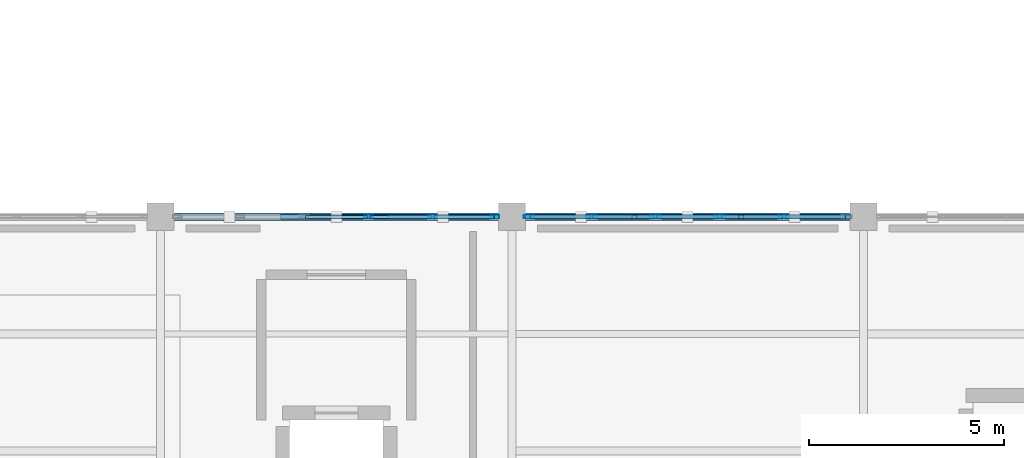
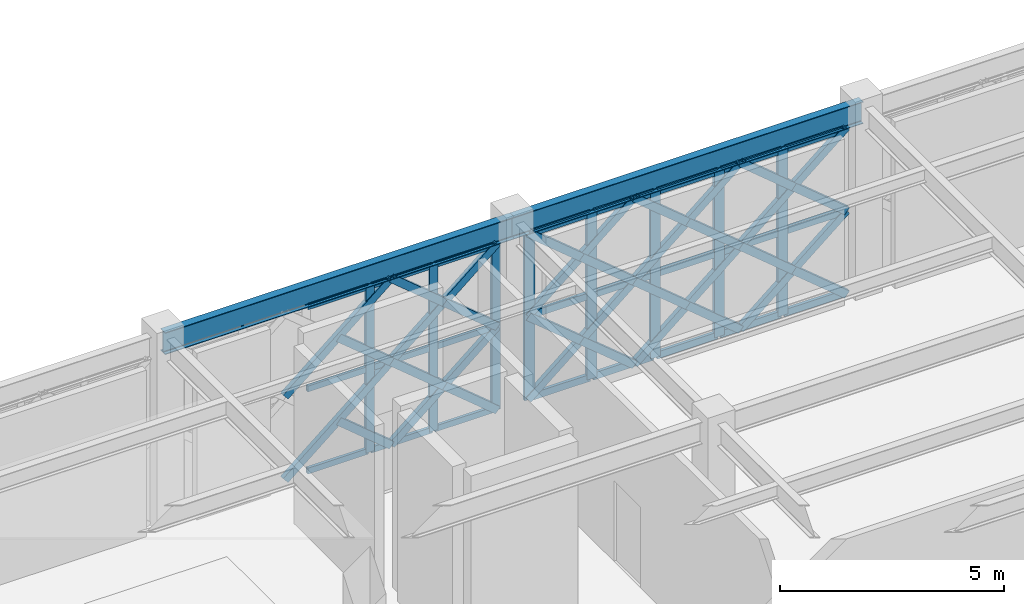
# One storey, part 16 of 72: 60 members, 2 beams, 2 elements without a shape of their own.
"""IFC4 building model written with IfcOpenShell, lengths in metres."""

from ifc_helpers import new_model, si_unit, direction, frame, origin, origin_2d, place, context, subcontext, project, spatial, hollow_rectangle, i_section, extrude, material, material_profile, profile_set, type_object, element, aggregate, save


model = new_model("IFC4")

# Units and contexts
model_context = context("Model", 3, precision=1e-05, world=origin(), true_north=direction((0.0, 1.0)))
body_context = subcontext(model_context, "Body", "Model", "MODEL_VIEW")
ifc_project = project(units=[si_unit("LENGTHUNIT", "METRE"), si_unit("AREAUNIT", "SQUARE_METRE"), si_unit("VOLUMEUNIT", "CUBIC_METRE"), si_unit("PLANEANGLEUNIT", "RADIAN"), si_unit("MASSUNIT", "GRAM", prefix="KILO")], contexts=[model_context])

# Site, building, storey
site_placement = place(None, origin())
site = spatial("IfcSite", under=ifc_project, at=site_placement, CompositionType="ELEMENT")
building_placement = place(site_placement, origin())
building = spatial("IfcBuilding", under=site, at=building_placement, Name="Haizhuo Lancet Aquarium", CompositionType="ELEMENT")
storey_placement = place(building_placement, frame((0.0, 0.0, 21.60009765625)))
storey = spatial("IfcBuildingStorey", under=building, at=storey_placement, Name="L04", CompositionType="ELEMENT", Elevation=21.60009765625)

# Beams
ifc_material_1 = material(Name="Steel S355", Category="steel")
ifc_material_profile_1 = material_profile(ifc_material_1, i_section(OverallWidth=0.199951171875, OverallDepth=0.60009765625, WebThickness=0.010986328125, FlangeThickness=0.01708984375, FilletRadius=0.02197265625, at=origin_2d()), Name="HN 600x200x11x17")
ifc_profile_set_1 = profile_set([ifc_material_profile_1], Name="Steel S355")
beam_type = type_object("IfcBeamType", Name="BM-ST-HN600", PredefinedType="BEAM", material=ifc_profile_set_1)
for number, where, z_axis, x_axis, name in (
    (1, (-63.0, -9.0, 4.849853515625), (1.0, 0.0, 0.0), (0.0, 1.0, 0.0), "L04 V6 primary girder BM-L04-V6-013"),
    (2, (-54.0, -9.0, 4.849853515625), (1.0, 0.0, 0.0), (0.0, 1.0, 0.0), "L04 V6 primary girder BM-L04-V6-018"),
):
    element("IfcBeam", number, at=place(storey_placement, frame(where, z_axis=z_axis, x_axis=x_axis)), inside=storey, type_object=beam_type, Name=name, PredefinedType="BEAM", context=body_context, shape_type="SweptSolid", body=[
        extrude(i_section(OverallWidth=0.199951171875, OverallDepth=0.60009765625, WebThickness=0.010986328125, FlangeThickness=0.01708984375, FilletRadius=0.02197265625, at=origin_2d()), origin(), (0.0, 0.0, 1.0), 9.0),
    ])

# Curtain wall, members
ifc_material_2 = material(Name="Aluminium 6063-T6", Category="aluminium")
curtain_wall_type = type_object("IfcCurtainWallType", Name="CWO-8210x4550", PredefinedType="NOTDEFINED", material=ifc_material_2)
curtain_wall_1_placement = place(storey_placement, origin())
curtain_wall_1 = element("IfcCurtainWall", 3, at=curtain_wall_1_placement, inside=storey, type_object=curtain_wall_type, Name="L04 curtain wall CW-V6-L04-248", PredefinedType="NOTDEFINED")
ifc_material_profile_2 = material_profile(ifc_material_2, hollow_rectangle(XDim=0.074951171875, YDim=0.219970703125, WallThickness=0.0048828125, at=origin_2d()), Name="ALU-M 75x220x5")
ifc_profile_set_2 = profile_set([ifc_material_profile_2], Name="Aluminium 6063-T6")
member_type_1 = type_object("IfcMemberType", Name="CW-MUL-2", PredefinedType="MULLION", material=ifc_profile_set_2)
member_1_placement = place(storey_placement, frame((-57.678955078125, -9.0, 0.0), z_axis=(0.0, 0.0, 1.0), x_axis=(0.0, 1.0, 0.0)))
member_1 = element("IfcMember", 4, at=member_1_placement, type_object=member_type_1, Name="CWO-82x45 mullion 4", PredefinedType="MULLION", context=body_context, shape_type="SweptSolid", body=[
    extrude(hollow_rectangle(XDim=0.074951171875, YDim=0.219970703125, WallThickness=0.0048828125, at=origin_2d()), origin(), (0.0, 0.0, 1.0), 4.5498046875),
])
member_2_placement = place(storey_placement, frame((-56.037109375, -9.0, 0.0), z_axis=(0.0, 0.0, 1.0), x_axis=(0.0, 1.0, 0.0)))
member_2 = element("IfcMember", 5, at=member_2_placement, type_object=member_type_1, Name="CWO-82x45 mullion 5", PredefinedType="MULLION", context=body_context, shape_type="SweptSolid", body=[
    extrude(hollow_rectangle(XDim=0.074951171875, YDim=0.219970703125, WallThickness=0.0048828125, at=origin_2d()), origin(), (0.0, 0.0, 1.0), 4.5498046875),
])
member_3_placement = place(storey_placement, frame((-54.43310546875, -9.0, 0.0), z_axis=(0.0, 0.0, 1.0), x_axis=(0.0, 1.0, 0.0)))
member_3 = element("IfcMember", 6, at=member_3_placement, type_object=member_type_1, Name="CWO-82x45 mullion 6", PredefinedType="MULLION", context=body_context, shape_type="SweptSolid", body=[
    extrude(hollow_rectangle(XDim=0.074951171875, YDim=0.219970703125, WallThickness=0.0048828125, at=origin_2d()), origin(), (0.0, 0.0, 1.0), 4.5498046875),
])

curtain_wall_2_placement = place(storey_placement, origin())
curtain_wall_2 = element("IfcCurtainWall", 7, at=curtain_wall_2_placement, inside=storey, type_object=curtain_wall_type, Name="L04 curtain wall CW-V6-L04-249", PredefinedType="NOTDEFINED")
ifc_material_profile_3 = material_profile(ifc_material_2, hollow_rectangle(XDim=0.080078125, YDim=0.260009765625, WallThickness=0.0048828125, at=origin_2d()), Name="ALU-M 80x260x5")
ifc_profile_set_3 = profile_set([ifc_material_profile_3], Name="Aluminium 6063-T6")
member_type_2 = type_object("IfcMemberType", Name="CW-MUL-3", PredefinedType="MULLION", material=ifc_profile_set_3)
member_4_placement = place(storey_placement, frame((-53.56494140625, -9.0, 0.0), z_axis=(0.0, 0.0, 1.0), x_axis=(0.0, 1.0, 0.0)))
member_4 = element("IfcMember", 8, at=member_4_placement, type_object=member_type_2, Name="CWO-82x45 mullion 1", PredefinedType="MULLION", context=body_context, shape_type="SweptSolid", body=[
    extrude(hollow_rectangle(XDim=0.080078125, YDim=0.260009765625, WallThickness=0.0048828125, at=origin_2d()), origin(), (0.0, 0.0, 1.0), 4.5498046875),
])
member_5_placement = place(storey_placement, frame((-51.962890625, -9.0, 0.0), z_axis=(0.0, 0.0, 1.0), x_axis=(0.0, 1.0, 0.0)))
member_5 = element("IfcMember", 9, at=member_5_placement, type_object=member_type_2, Name="CWO-82x45 mullion 2", PredefinedType="MULLION", context=body_context, shape_type="SweptSolid", body=[
    extrude(hollow_rectangle(XDim=0.080078125, YDim=0.260009765625, WallThickness=0.0048828125, at=origin_2d()), origin(), (0.0, 0.0, 1.0), 4.5498046875),
])
member_6_placement = place(storey_placement, frame((-50.321044921875, -9.0, 0.0), z_axis=(0.0, 0.0, 1.0), x_axis=(0.0, 1.0, 0.0)))
member_6 = element("IfcMember", 10, at=member_6_placement, type_object=member_type_2, Name="CWO-82x45 mullion 3", PredefinedType="MULLION", context=body_context, shape_type="SweptSolid", body=[
    extrude(hollow_rectangle(XDim=0.080078125, YDim=0.260009765625, WallThickness=0.0048828125, at=origin_2d()), origin(), (0.0, 0.0, 1.0), 4.5498046875),
])
member_7_placement = place(storey_placement, frame((-48.678955078125, -9.0, 0.0), z_axis=(0.0, 0.0, 1.0), x_axis=(0.0, 1.0, 0.0)))
member_7 = element("IfcMember", 11, at=member_7_placement, type_object=member_type_2, Name="CWO-82x45 mullion 4", PredefinedType="MULLION", context=body_context, shape_type="SweptSolid", body=[
    extrude(hollow_rectangle(XDim=0.080078125, YDim=0.260009765625, WallThickness=0.0048828125, at=origin_2d()), origin(), (0.0, 0.0, 1.0), 4.5498046875),
])
member_8_placement = place(storey_placement, frame((-47.037109375, -9.0, 0.0), z_axis=(0.0, 0.0, 1.0), x_axis=(0.0, 1.0, 0.0)))
member_8 = element("IfcMember", 12, at=member_8_placement, type_object=member_type_2, Name="CWO-82x45 mullion 5", PredefinedType="MULLION", context=body_context, shape_type="SweptSolid", body=[
    extrude(hollow_rectangle(XDim=0.080078125, YDim=0.260009765625, WallThickness=0.0048828125, at=origin_2d()), origin(), (0.0, 0.0, 1.0), 4.5498046875),
])

# Member
ifc_material_profile_4 = material_profile(ifc_material_2, hollow_rectangle(XDim=0.074951171875, YDim=0.159912109375, WallThickness=0.00390625, at=origin_2d()), Name="ALU-T 75x160x4")
ifc_profile_set_4 = profile_set([ifc_material_profile_4], Name="Aluminium 6063-T6")
member_type_3 = type_object("IfcMemberType", Name="CW-TRN-2", PredefinedType="NOTDEFINED", material=ifc_profile_set_4)
member_9_placement = place(storey_placement, frame((-59.282958984375, -9.0, 0.037841796875), z_axis=(1.0, 0.0, 0.0), x_axis=(0.0, 1.0, 0.0)))
member_9 = element("IfcMember", 13, at=member_9_placement, type_object=member_type_3, Name="CWO-82x45 transom 3.1", ObjectType="TRANSOM", PredefinedType="USERDEFINED", context=body_context, shape_type="SweptSolid", body=[
    extrude(hollow_rectangle(XDim=0.074951171875, YDim=0.159912109375, WallThickness=0.00390625, at=origin_2d()), origin(), (0.0, 0.0, 1.0), 1.56689453125),
])

member_10_placement = place(storey_placement, frame((-59.282958984375, -9.0, 2.27490234375), z_axis=(1.0, 0.0, 0.0), x_axis=(0.0, 1.0, 0.0)))
member_10 = element("IfcMember", 14, at=member_10_placement, type_object=member_type_3, Name="CWO-82x45 transom 3.2", ObjectType="TRANSOM", PredefinedType="USERDEFINED", context=body_context, shape_type="SweptSolid", body=[
    extrude(hollow_rectangle(XDim=0.074951171875, YDim=0.159912109375, WallThickness=0.00390625, at=origin_2d()), origin(), (0.0, 0.0, 1.0), 1.56689453125),
])

member_11_placement = place(storey_placement, frame((-59.282958984375, -9.0, 4.511962890625), z_axis=(1.0, 0.0, 0.0), x_axis=(0.0, 1.0, 0.0)))
member_11 = element("IfcMember", 15, at=member_11_placement, type_object=member_type_3, Name="CWO-82x45 transom 3.3", ObjectType="TRANSOM", PredefinedType="USERDEFINED", context=body_context, shape_type="SweptSolid", body=[
    extrude(hollow_rectangle(XDim=0.074951171875, YDim=0.159912109375, WallThickness=0.00390625, at=origin_2d()), origin(), (0.0, 0.0, 1.0), 1.56689453125),
])

member_12_placement = place(storey_placement, frame((-57.64208984375, -9.0, 0.037841796875), z_axis=(1.0, 0.0, 0.0), x_axis=(0.0, 1.0, 0.0)))
member_12 = element("IfcMember", 16, at=member_12_placement, type_object=member_type_3, Name="CWO-82x45 transom 4.1", ObjectType="TRANSOM", PredefinedType="USERDEFINED", context=body_context, shape_type="SweptSolid", body=[
    extrude(hollow_rectangle(XDim=0.074951171875, YDim=0.159912109375, WallThickness=0.00390625, at=origin_2d()), origin(), (0.0, 0.0, 1.0), 1.567138671875),
])

member_13_placement = place(storey_placement, frame((-57.64208984375, -9.0, 2.27490234375), z_axis=(1.0, 0.0, 0.0), x_axis=(0.0, 1.0, 0.0)))
member_13 = element("IfcMember", 17, at=member_13_placement, type_object=member_type_3, Name="CWO-82x45 transom 4.2", ObjectType="TRANSOM", PredefinedType="USERDEFINED", context=body_context, shape_type="SweptSolid", body=[
    extrude(hollow_rectangle(XDim=0.074951171875, YDim=0.159912109375, WallThickness=0.00390625, at=origin_2d()), origin(), (0.0, 0.0, 1.0), 1.567138671875),
])

member_14_placement = place(storey_placement, frame((-57.64208984375, -9.0, 4.511962890625), z_axis=(1.0, 0.0, 0.0), x_axis=(0.0, 1.0, 0.0)))
member_14 = element("IfcMember", 18, at=member_14_placement, type_object=member_type_3, Name="CWO-82x45 transom 4.3", ObjectType="TRANSOM", PredefinedType="USERDEFINED", context=body_context, shape_type="SweptSolid", body=[
    extrude(hollow_rectangle(XDim=0.074951171875, YDim=0.159912109375, WallThickness=0.00390625, at=origin_2d()), origin(), (0.0, 0.0, 1.0), 1.567138671875),
])

member_15_placement = place(storey_placement, frame((-56.0, -9.0, 0.037841796875), z_axis=(1.0, 0.0, 0.0), x_axis=(0.0, 1.0, 0.0)))
member_15 = element("IfcMember", 19, at=member_15_placement, type_object=member_type_3, Name="CWO-82x45 transom 5.1", ObjectType="TRANSOM", PredefinedType="USERDEFINED", context=body_context, shape_type="SweptSolid", body=[
    extrude(hollow_rectangle(XDim=0.074951171875, YDim=0.159912109375, WallThickness=0.00390625, at=origin_2d()), origin(), (0.0, 0.0, 1.0), 1.530029296875),
])

member_16_placement = place(storey_placement, frame((-56.0, -9.0, 2.27490234375), z_axis=(1.0, 0.0, 0.0), x_axis=(0.0, 1.0, 0.0)))
member_16 = element("IfcMember", 20, at=member_16_placement, type_object=member_type_3, Name="CWO-82x45 transom 5.2", ObjectType="TRANSOM", PredefinedType="USERDEFINED", context=body_context, shape_type="SweptSolid", body=[
    extrude(hollow_rectangle(XDim=0.074951171875, YDim=0.159912109375, WallThickness=0.00390625, at=origin_2d()), origin(), (0.0, 0.0, 1.0), 1.530029296875),
])

member_17_placement = place(storey_placement, frame((-56.0, -9.0, 4.511962890625), z_axis=(1.0, 0.0, 0.0), x_axis=(0.0, 1.0, 0.0)))
member_17 = element("IfcMember", 21, at=member_17_placement, type_object=member_type_3, Name="CWO-82x45 transom 5.3", ObjectType="TRANSOM", PredefinedType="USERDEFINED", context=body_context, shape_type="SweptSolid", body=[
    extrude(hollow_rectangle(XDim=0.074951171875, YDim=0.159912109375, WallThickness=0.00390625, at=origin_2d()), origin(), (0.0, 0.0, 1.0), 1.530029296875),
])

aggregate(curtain_wall_1, [member_1, member_2, member_3, member_9, member_10, member_11, member_12, member_13, member_14, member_15, member_16, member_17])

ifc_material_profile_5 = material_profile(ifc_material_2, hollow_rectangle(XDim=0.080078125, YDim=0.18994140625, WallThickness=0.0048828125, at=origin_2d()), Name="ALU-T 80x190x5")
ifc_profile_set_5 = profile_set([ifc_material_profile_5], Name="Aluminium 6063-T6")
member_type_4 = type_object("IfcMemberType", Name="CW-TRN-3", PredefinedType="NOTDEFINED", material=ifc_profile_set_5)
member_18_placement = place(storey_placement, frame((-53.52490234375, -9.0, 0.039794921875), z_axis=(1.0, 0.0, 0.0), x_axis=(0.0, 1.0, 0.0)))
member_18 = element("IfcMember", 22, at=member_18_placement, type_object=member_type_4, Name="CWO-82x45 transom 1.1", ObjectType="TRANSOM", PredefinedType="USERDEFINED", context=body_context, shape_type="SweptSolid", body=[
    extrude(hollow_rectangle(XDim=0.080078125, YDim=0.18994140625, WallThickness=0.0048828125, at=origin_2d()), origin(), (0.0, 0.0, 1.0), 1.52197265625),
])

member_19_placement = place(storey_placement, frame((-53.52490234375, -9.0, 2.27490234375), z_axis=(1.0, 0.0, 0.0), x_axis=(0.0, 1.0, 0.0)))
member_19 = element("IfcMember", 23, at=member_19_placement, type_object=member_type_4, Name="CWO-82x45 transom 1.2", ObjectType="TRANSOM", PredefinedType="USERDEFINED", context=body_context, shape_type="SweptSolid", body=[
    extrude(hollow_rectangle(XDim=0.080078125, YDim=0.18994140625, WallThickness=0.0048828125, at=origin_2d()), origin(), (0.0, 0.0, 1.0), 1.52197265625),
])

member_20_placement = place(storey_placement, frame((-53.52490234375, -9.0, 4.510009765625), z_axis=(1.0, 0.0, 0.0), x_axis=(0.0, 1.0, 0.0)))
member_20 = element("IfcMember", 24, at=member_20_placement, type_object=member_type_4, Name="CWO-82x45 transom 1.3", ObjectType="TRANSOM", PredefinedType="USERDEFINED", context=body_context, shape_type="SweptSolid", body=[
    extrude(hollow_rectangle(XDim=0.080078125, YDim=0.18994140625, WallThickness=0.0048828125, at=origin_2d()), origin(), (0.0, 0.0, 1.0), 1.52197265625),
])

member_21_placement = place(storey_placement, frame((-51.923095703125, -9.0, 0.039794921875), z_axis=(1.0, 0.0, 0.0), x_axis=(0.0, 1.0, 0.0)))
member_21 = element("IfcMember", 25, at=member_21_placement, type_object=member_type_4, Name="CWO-82x45 transom 2.1", ObjectType="TRANSOM", PredefinedType="USERDEFINED", context=body_context, shape_type="SweptSolid", body=[
    extrude(hollow_rectangle(XDim=0.080078125, YDim=0.18994140625, WallThickness=0.0048828125, at=origin_2d()), origin(), (0.0, 0.0, 1.0), 1.56201171875),
])

member_22_placement = place(storey_placement, frame((-51.923095703125, -9.0, 2.27490234375), z_axis=(1.0, 0.0, 0.0), x_axis=(0.0, 1.0, 0.0)))
member_22 = element("IfcMember", 26, at=member_22_placement, type_object=member_type_4, Name="CWO-82x45 transom 2.2", ObjectType="TRANSOM", PredefinedType="USERDEFINED", context=body_context, shape_type="SweptSolid", body=[
    extrude(hollow_rectangle(XDim=0.080078125, YDim=0.18994140625, WallThickness=0.0048828125, at=origin_2d()), origin(), (0.0, 0.0, 1.0), 1.56201171875),
])

member_23_placement = place(storey_placement, frame((-51.923095703125, -9.0, 4.510009765625), z_axis=(1.0, 0.0, 0.0), x_axis=(0.0, 1.0, 0.0)))
member_23 = element("IfcMember", 27, at=member_23_placement, type_object=member_type_4, Name="CWO-82x45 transom 2.3", ObjectType="TRANSOM", PredefinedType="USERDEFINED", context=body_context, shape_type="SweptSolid", body=[
    extrude(hollow_rectangle(XDim=0.080078125, YDim=0.18994140625, WallThickness=0.0048828125, at=origin_2d()), origin(), (0.0, 0.0, 1.0), 1.56201171875),
])

member_24_placement = place(storey_placement, frame((-50.281005859375, -9.0, 0.039794921875), z_axis=(1.0, 0.0, 0.0), x_axis=(0.0, 1.0, 0.0)))
member_24 = element("IfcMember", 28, at=member_24_placement, type_object=member_type_4, Name="CWO-82x45 transom 3.1", ObjectType="TRANSOM", PredefinedType="USERDEFINED", context=body_context, shape_type="SweptSolid", body=[
    extrude(hollow_rectangle(XDim=0.080078125, YDim=0.18994140625, WallThickness=0.0048828125, at=origin_2d()), origin(), (0.0, 0.0, 1.0), 1.56201171875),
])

member_25_placement = place(storey_placement, frame((-50.281005859375, -9.0, 2.27490234375), z_axis=(1.0, 0.0, 0.0), x_axis=(0.0, 1.0, 0.0)))
member_25 = element("IfcMember", 29, at=member_25_placement, type_object=member_type_4, Name="CWO-82x45 transom 3.2", ObjectType="TRANSOM", PredefinedType="USERDEFINED", context=body_context, shape_type="SweptSolid", body=[
    extrude(hollow_rectangle(XDim=0.080078125, YDim=0.18994140625, WallThickness=0.0048828125, at=origin_2d()), origin(), (0.0, 0.0, 1.0), 1.56201171875),
])

member_26_placement = place(storey_placement, frame((-50.281005859375, -9.0, 4.510009765625), z_axis=(1.0, 0.0, 0.0), x_axis=(0.0, 1.0, 0.0)))
member_26 = element("IfcMember", 30, at=member_26_placement, type_object=member_type_4, Name="CWO-82x45 transom 3.3", ObjectType="TRANSOM", PredefinedType="USERDEFINED", context=body_context, shape_type="SweptSolid", body=[
    extrude(hollow_rectangle(XDim=0.080078125, YDim=0.18994140625, WallThickness=0.0048828125, at=origin_2d()), origin(), (0.0, 0.0, 1.0), 1.56201171875),
])

member_27_placement = place(storey_placement, frame((-48.638916015625, -9.0, 0.039794921875), z_axis=(1.0, 0.0, 0.0), x_axis=(0.0, 1.0, 0.0)))
member_27 = element("IfcMember", 31, at=member_27_placement, type_object=member_type_4, Name="CWO-82x45 transom 4.1", ObjectType="TRANSOM", PredefinedType="USERDEFINED", context=body_context, shape_type="SweptSolid", body=[
    extrude(hollow_rectangle(XDim=0.080078125, YDim=0.18994140625, WallThickness=0.0048828125, at=origin_2d()), origin(), (0.0, 0.0, 1.0), 1.56201171875),
])

member_28_placement = place(storey_placement, frame((-48.638916015625, -9.0, 2.27490234375), z_axis=(1.0, 0.0, 0.0), x_axis=(0.0, 1.0, 0.0)))
member_28 = element("IfcMember", 32, at=member_28_placement, type_object=member_type_4, Name="CWO-82x45 transom 4.2", ObjectType="TRANSOM", PredefinedType="USERDEFINED", context=body_context, shape_type="SweptSolid", body=[
    extrude(hollow_rectangle(XDim=0.080078125, YDim=0.18994140625, WallThickness=0.0048828125, at=origin_2d()), origin(), (0.0, 0.0, 1.0), 1.56201171875),
])

member_29_placement = place(storey_placement, frame((-48.638916015625, -9.0, 4.510009765625), z_axis=(1.0, 0.0, 0.0), x_axis=(0.0, 1.0, 0.0)))
member_29 = element("IfcMember", 33, at=member_29_placement, type_object=member_type_4, Name="CWO-82x45 transom 4.3", ObjectType="TRANSOM", PredefinedType="USERDEFINED", context=body_context, shape_type="SweptSolid", body=[
    extrude(hollow_rectangle(XDim=0.080078125, YDim=0.18994140625, WallThickness=0.0048828125, at=origin_2d()), origin(), (0.0, 0.0, 1.0), 1.56201171875),
])

member_30_placement = place(storey_placement, frame((-46.9970703125, -9.0, 0.039794921875), z_axis=(1.0, 0.0, 0.0), x_axis=(0.0, 1.0, 0.0)))
member_30 = element("IfcMember", 34, at=member_30_placement, type_object=member_type_4, Name="CWO-82x45 transom 5.1", ObjectType="TRANSOM", PredefinedType="USERDEFINED", context=body_context, shape_type="SweptSolid", body=[
    extrude(hollow_rectangle(XDim=0.080078125, YDim=0.18994140625, WallThickness=0.0048828125, at=origin_2d()), origin(), (0.0, 0.0, 1.0), 1.52197265625),
])

member_31_placement = place(storey_placement, frame((-46.9970703125, -9.0, 2.27490234375), z_axis=(1.0, 0.0, 0.0), x_axis=(0.0, 1.0, 0.0)))
member_31 = element("IfcMember", 35, at=member_31_placement, type_object=member_type_4, Name="CWO-82x45 transom 5.2", ObjectType="TRANSOM", PredefinedType="USERDEFINED", context=body_context, shape_type="SweptSolid", body=[
    extrude(hollow_rectangle(XDim=0.080078125, YDim=0.18994140625, WallThickness=0.0048828125, at=origin_2d()), origin(), (0.0, 0.0, 1.0), 1.52197265625),
])

member_32_placement = place(storey_placement, frame((-46.9970703125, -9.0, 4.510009765625), z_axis=(1.0, 0.0, 0.0), x_axis=(0.0, 1.0, 0.0)))
member_32 = element("IfcMember", 36, at=member_32_placement, type_object=member_type_4, Name="CWO-82x45 transom 5.3", ObjectType="TRANSOM", PredefinedType="USERDEFINED", context=body_context, shape_type="SweptSolid", body=[
    extrude(hollow_rectangle(XDim=0.080078125, YDim=0.18994140625, WallThickness=0.0048828125, at=origin_2d()), origin(), (0.0, 0.0, 1.0), 1.52197265625),
])

aggregate(curtain_wall_2, [member_4, member_5, member_6, member_7, member_8, member_18, member_19, member_20, member_21, member_22, member_23, member_24, member_25, member_26, member_27, member_28, member_29, member_30, member_31, member_32])

# Members
ifc_material_profile_6 = material_profile(ifc_material_1, hollow_rectangle(XDim=0.1201171875, YDim=0.199951171875, WallThickness=0.008056640625, at=origin_2d()), Name="RHS 120x200x8")
ifc_profile_set_6 = profile_set([ifc_material_profile_6], Name="Steel S355")
member_type_5 = type_object("IfcMemberType", Name="MEM-LB-RHS120x200", PredefinedType="BRACE", material=ifc_profile_set_6)
member_33_placement = place(storey_placement, frame((-59.867919921875, -9.0, 0.0), z_axis=(0.768906994858, 0.0, 0.639360644127), x_axis=(0.0, 1.0, 0.0)))
element("IfcMember", 37, at=member_33_placement, inside=storey, type_object=member_type_5, Name="Gothic lancet continuous diagonal brace CW-V6-L04-248 3A", PredefinedType="BRACE", context=body_context, shape_type="SweptSolid", body=[
    extrude(hollow_rectangle(XDim=0.1201171875, YDim=0.199951171875, WallThickness=0.008056640625, at=origin_2d()), origin(), (0.0, 0.0, 1.0), 3.55810546875),
])
member_34_placement = place(storey_placement, frame((-57.132080078125, -9.0, 0.0), z_axis=(-0.768772073165, 0.0, 0.639522868646), x_axis=(0.0, -1.0, 0.0)))
element("IfcMember", 38, at=member_34_placement, inside=storey, type_object=member_type_5, Name="Gothic lancet split diagonal brace CW-V6-L04-248 3B1", PredefinedType="BRACE", context=body_context, shape_type="SweptSolid", body=[
    extrude(hollow_rectangle(XDim=0.1201171875, YDim=0.199951171875, WallThickness=0.008056640625, at=origin_2d()), origin(), (0.0, 0.0, 1.0), 1.779296875),
])
member_35_placement = place(storey_placement, frame((-59.867919921875, -9.0, 2.27490234375), z_axis=(0.768906994858, 0.0, 0.639360644127), x_axis=(0.0, 1.0, 0.0)))
element("IfcMember", 39, at=member_35_placement, inside=storey, type_object=member_type_5, Name="Gothic lancet continuous diagonal brace CW-V6-L04-248 4A", PredefinedType="BRACE", context=body_context, shape_type="SweptSolid", body=[
    extrude(hollow_rectangle(XDim=0.1201171875, YDim=0.199951171875, WallThickness=0.008056640625, at=origin_2d()), origin(), (0.0, 0.0, 1.0), 3.55810546875),
])
member_36_placement = place(storey_placement, frame((-57.132080078125, -9.0, 2.27490234375), z_axis=(-0.769041929661, 0.0, 0.639198334184), x_axis=(0.0, -1.0, 0.0)))
element("IfcMember", 40, at=member_36_placement, inside=storey, type_object=member_type_5, Name="Gothic lancet split diagonal brace CW-V6-L04-248 4B1", PredefinedType="BRACE", context=body_context, shape_type="SweptSolid", body=[
    extrude(hollow_rectangle(XDim=0.1201171875, YDim=0.199951171875, WallThickness=0.008056640625, at=origin_2d()), origin(), (0.0, 0.0, 1.0), 1.77880859375),
])
member_37_placement = place(storey_placement, frame((-57.132080078125, -9.0, 0.0), z_axis=(0.769047183609, 0.0, 0.639192012922), x_axis=(0.0, 1.0, 0.0)))
element("IfcMember", 41, at=member_37_placement, inside=storey, type_object=member_type_5, Name="Gothic lancet continuous diagonal brace CW-V6-L04-248 5A", PredefinedType="BRACE", context=body_context, shape_type="SweptSolid", body=[
    extrude(hollow_rectangle(XDim=0.1201171875, YDim=0.199951171875, WallThickness=0.008056640625, at=origin_2d()), origin(), (0.0, 0.0, 1.0), 3.55908203125),
])
member_38_placement = place(storey_placement, frame((-54.39501953125, -9.0, 0.0), z_axis=(-0.768996396425, 0.0, 0.639253112848), x_axis=(0.0, -1.0, 0.0)))
element("IfcMember", 42, at=member_38_placement, inside=storey, type_object=member_type_5, Name="Gothic lancet split diagonal brace CW-V6-L04-248 5B1", PredefinedType="BRACE", context=body_context, shape_type="SweptSolid", body=[
    extrude(hollow_rectangle(XDim=0.1201171875, YDim=0.199951171875, WallThickness=0.008056640625, at=origin_2d()), origin(), (0.0, 0.0, 1.0), 1.780029296875),
])
member_39_placement = place(storey_placement, frame((-55.763916015625, -9.0, 1.137939453125), z_axis=(-0.769097999835, 0.0, 0.639130868171), x_axis=(0.0, -1.0, 0.0)))
element("IfcMember", 43, at=member_39_placement, inside=storey, type_object=member_type_5, Name="Gothic lancet split diagonal brace CW-V6-L04-248 5B2", PredefinedType="BRACE", context=body_context, shape_type="SweptSolid", body=[
    extrude(hollow_rectangle(XDim=0.1201171875, YDim=0.199951171875, WallThickness=0.008056640625, at=origin_2d()), origin(), (0.0, 0.0, 1.0), 1.77880859375),
])
member_40_placement = place(storey_placement, frame((-57.132080078125, -9.0, 2.27490234375), z_axis=(0.769047183609, 0.0, 0.639192012922), x_axis=(0.0, 1.0, 0.0)))
element("IfcMember", 44, at=member_40_placement, inside=storey, type_object=member_type_5, Name="Gothic lancet continuous diagonal brace CW-V6-L04-248 6A", PredefinedType="BRACE", context=body_context, shape_type="SweptSolid", body=[
    extrude(hollow_rectangle(XDim=0.1201171875, YDim=0.199951171875, WallThickness=0.008056640625, at=origin_2d()), origin(), (0.0, 0.0, 1.0), 3.55908203125),
])
for number, where, z_axis, x_axis, name in (
    (45, (-54.39501953125, -9.0, 2.27490234375), (-0.76926610387, 0.0, 0.638928526078), (0.0, -1.0, 0.0), "Gothic lancet split diagonal brace CW-V6-L04-248 6B1"),
    (46, (-55.763916015625, -9.0, 3.411865234375), (-0.768828180601, 0.0, 0.639455415736), (0.0, -1.0, 0.0), "Gothic lancet split diagonal brace CW-V6-L04-248 6B2"),
):
    element("IfcMember", number, at=place(storey_placement, frame(where, z_axis=z_axis, x_axis=x_axis)), inside=storey, type_object=member_type_5, Name=name, PredefinedType="BRACE", context=body_context, shape_type="SweptSolid", body=[
        extrude(hollow_rectangle(XDim=0.1201171875, YDim=0.199951171875, WallThickness=0.008056640625, at=origin_2d()), origin(), (0.0, 0.0, 1.0), 1.779541015625),
    ])
member_41_placement = place(storey_placement, frame((-53.60498046875, -9.0, 0.0), z_axis=(0.769047183609, 0.0, 0.639192012922), x_axis=(0.0, 1.0, 0.0)))
element("IfcMember", 47, at=member_41_placement, inside=storey, type_object=member_type_5, Name="Gothic lancet continuous diagonal brace CW-V6-L04-249 1A", PredefinedType="BRACE", context=body_context, shape_type="SweptSolid", body=[
    extrude(hollow_rectangle(XDim=0.1201171875, YDim=0.199951171875, WallThickness=0.008056640625, at=origin_2d()), origin(), (0.0, 0.0, 1.0), 3.55908203125),
])
for number, where, z_axis, x_axis, name in (
    (48, (-50.867919921875, -9.0, 0.0), (-0.768828180601, 0.0, 0.639455415736), (0.0, -1.0, 0.0), "Gothic lancet split diagonal brace CW-V6-L04-249 1B1"),
    (49, (-52.236083984375, -9.0, 1.137939453125), (-0.76926610387, 0.0, 0.638928526078), (0.0, -1.0, 0.0), "Gothic lancet split diagonal brace CW-V6-L04-249 1B2"),
):
    element("IfcMember", number, at=place(storey_placement, frame(where, z_axis=z_axis, x_axis=x_axis)), inside=storey, type_object=member_type_5, Name=name, PredefinedType="BRACE", context=body_context, shape_type="SweptSolid", body=[
        extrude(hollow_rectangle(XDim=0.1201171875, YDim=0.199951171875, WallThickness=0.008056640625, at=origin_2d()), origin(), (0.0, 0.0, 1.0), 1.779541015625),
    ])
member_42_placement = place(storey_placement, frame((-53.60498046875, -9.0, 2.27490234375), z_axis=(0.769047183609, 0.0, 0.639192012922), x_axis=(0.0, 1.0, 0.0)))
element("IfcMember", 50, at=member_42_placement, inside=storey, type_object=member_type_5, Name="Gothic lancet continuous diagonal brace CW-V6-L04-249 2A", PredefinedType="BRACE", context=body_context, shape_type="SweptSolid", body=[
    extrude(hollow_rectangle(XDim=0.1201171875, YDim=0.199951171875, WallThickness=0.008056640625, at=origin_2d()), origin(), (0.0, 0.0, 1.0), 3.55908203125),
])
member_43_placement = place(storey_placement, frame((-50.867919921875, -9.0, 2.27490234375), z_axis=(-0.769097999835, 0.0, 0.639130868171), x_axis=(0.0, -1.0, 0.0)))
element("IfcMember", 51, at=member_43_placement, inside=storey, type_object=member_type_5, Name="Gothic lancet split diagonal brace CW-V6-L04-249 2B1", PredefinedType="BRACE", context=body_context, shape_type="SweptSolid", body=[
    extrude(hollow_rectangle(XDim=0.1201171875, YDim=0.199951171875, WallThickness=0.008056640625, at=origin_2d()), origin(), (0.0, 0.0, 1.0), 1.77880859375),
])
member_44_placement = place(storey_placement, frame((-52.236083984375, -9.0, 3.411865234375), z_axis=(-0.768996396425, 0.0, 0.639253112848), x_axis=(0.0, -1.0, 0.0)))
element("IfcMember", 52, at=member_44_placement, inside=storey, type_object=member_type_5, Name="Gothic lancet split diagonal brace CW-V6-L04-249 2B2", PredefinedType="BRACE", context=body_context, shape_type="SweptSolid", body=[
    extrude(hollow_rectangle(XDim=0.1201171875, YDim=0.199951171875, WallThickness=0.008056640625, at=origin_2d()), origin(), (0.0, 0.0, 1.0), 1.780029296875),
])
member_45_placement = place(storey_placement, frame((-50.867919921875, -9.0, 0.0), z_axis=(0.768906994858, 0.0, 0.639360644127), x_axis=(0.0, 1.0, 0.0)))
element("IfcMember", 53, at=member_45_placement, inside=storey, type_object=member_type_5, Name="Gothic lancet continuous diagonal brace CW-V6-L04-249 3A", PredefinedType="BRACE", context=body_context, shape_type="SweptSolid", body=[
    extrude(hollow_rectangle(XDim=0.1201171875, YDim=0.199951171875, WallThickness=0.008056640625, at=origin_2d()), origin(), (0.0, 0.0, 1.0), 3.55810546875),
])
member_46_placement = place(storey_placement, frame((-48.132080078125, -9.0, 0.0), z_axis=(-0.768772073165, 0.0, 0.639522868646), x_axis=(0.0, -1.0, 0.0)))
element("IfcMember", 54, at=member_46_placement, inside=storey, type_object=member_type_5, Name="Gothic lancet split diagonal brace CW-V6-L04-249 3B1", PredefinedType="BRACE", context=body_context, shape_type="SweptSolid", body=[
    extrude(hollow_rectangle(XDim=0.1201171875, YDim=0.199951171875, WallThickness=0.008056640625, at=origin_2d()), origin(), (0.0, 0.0, 1.0), 1.779296875),
])
member_47_placement = place(storey_placement, frame((-49.5, -9.0, 1.137939453125), z_axis=(-0.769041929661, 0.0, 0.639198334184), x_axis=(0.0, -1.0, 0.0)))
element("IfcMember", 55, at=member_47_placement, inside=storey, type_object=member_type_5, Name="Gothic lancet split diagonal brace CW-V6-L04-249 3B2", PredefinedType="BRACE", context=body_context, shape_type="SweptSolid", body=[
    extrude(hollow_rectangle(XDim=0.1201171875, YDim=0.199951171875, WallThickness=0.008056640625, at=origin_2d()), origin(), (0.0, 0.0, 1.0), 1.77880859375),
])
member_48_placement = place(storey_placement, frame((-50.867919921875, -9.0, 2.27490234375), z_axis=(0.768906994858, 0.0, 0.639360644127), x_axis=(0.0, 1.0, 0.0)))
element("IfcMember", 56, at=member_48_placement, inside=storey, type_object=member_type_5, Name="Gothic lancet continuous diagonal brace CW-V6-L04-249 4A", PredefinedType="BRACE", context=body_context, shape_type="SweptSolid", body=[
    extrude(hollow_rectangle(XDim=0.1201171875, YDim=0.199951171875, WallThickness=0.008056640625, at=origin_2d()), origin(), (0.0, 0.0, 1.0), 3.55810546875),
])
member_49_placement = place(storey_placement, frame((-48.132080078125, -9.0, 2.27490234375), z_axis=(-0.769041929661, 0.0, 0.639198334184), x_axis=(0.0, -1.0, 0.0)))
element("IfcMember", 57, at=member_49_placement, inside=storey, type_object=member_type_5, Name="Gothic lancet split diagonal brace CW-V6-L04-249 4B1", PredefinedType="BRACE", context=body_context, shape_type="SweptSolid", body=[
    extrude(hollow_rectangle(XDim=0.1201171875, YDim=0.199951171875, WallThickness=0.008056640625, at=origin_2d()), origin(), (0.0, 0.0, 1.0), 1.77880859375),
])
member_50_placement = place(storey_placement, frame((-49.5, -9.0, 3.411865234375), z_axis=(-0.768772073165, 0.0, 0.639522868646), x_axis=(0.0, -1.0, 0.0)))
element("IfcMember", 58, at=member_50_placement, inside=storey, type_object=member_type_5, Name="Gothic lancet split diagonal brace CW-V6-L04-249 4B2", PredefinedType="BRACE", context=body_context, shape_type="SweptSolid", body=[
    extrude(hollow_rectangle(XDim=0.1201171875, YDim=0.199951171875, WallThickness=0.008056640625, at=origin_2d()), origin(), (0.0, 0.0, 1.0), 1.779296875),
])
member_51_placement = place(storey_placement, frame((-48.132080078125, -9.0, 0.0), z_axis=(0.769047183609, 0.0, 0.639192012922), x_axis=(0.0, 1.0, 0.0)))
element("IfcMember", 59, at=member_51_placement, inside=storey, type_object=member_type_5, Name="Gothic lancet continuous diagonal brace CW-V6-L04-249 5A", PredefinedType="BRACE", context=body_context, shape_type="SweptSolid", body=[
    extrude(hollow_rectangle(XDim=0.1201171875, YDim=0.199951171875, WallThickness=0.008056640625, at=origin_2d()), origin(), (0.0, 0.0, 1.0), 3.55908203125),
])
member_52_placement = place(storey_placement, frame((-45.39501953125, -9.0, 0.0), z_axis=(-0.768996396425, 0.0, 0.639253112848), x_axis=(0.0, -1.0, 0.0)))
element("IfcMember", 60, at=member_52_placement, inside=storey, type_object=member_type_5, Name="Gothic lancet split diagonal brace CW-V6-L04-249 5B1", PredefinedType="BRACE", context=body_context, shape_type="SweptSolid", body=[
    extrude(hollow_rectangle(XDim=0.1201171875, YDim=0.199951171875, WallThickness=0.008056640625, at=origin_2d()), origin(), (0.0, 0.0, 1.0), 1.780029296875),
])
member_53_placement = place(storey_placement, frame((-46.763916015625, -9.0, 1.137939453125), z_axis=(-0.769097999835, 0.0, 0.639130868171), x_axis=(0.0, -1.0, 0.0)))
element("IfcMember", 61, at=member_53_placement, inside=storey, type_object=member_type_5, Name="Gothic lancet split diagonal brace CW-V6-L04-249 5B2", PredefinedType="BRACE", context=body_context, shape_type="SweptSolid", body=[
    extrude(hollow_rectangle(XDim=0.1201171875, YDim=0.199951171875, WallThickness=0.008056640625, at=origin_2d()), origin(), (0.0, 0.0, 1.0), 1.77880859375),
])
member_54_placement = place(storey_placement, frame((-48.132080078125, -9.0, 2.27490234375), z_axis=(0.769047183609, 0.0, 0.639192012922), x_axis=(0.0, 1.0, 0.0)))
element("IfcMember", 62, at=member_54_placement, inside=storey, type_object=member_type_5, Name="Gothic lancet continuous diagonal brace CW-V6-L04-249 6A", PredefinedType="BRACE", context=body_context, shape_type="SweptSolid", body=[
    extrude(hollow_rectangle(XDim=0.1201171875, YDim=0.199951171875, WallThickness=0.008056640625, at=origin_2d()), origin(), (0.0, 0.0, 1.0), 3.55908203125),
])
for number, where, z_axis, x_axis, name in (
    (63, (-45.39501953125, -9.0, 2.27490234375), (-0.76926610387, 0.0, 0.638928526078), (0.0, -1.0, 0.0), "Gothic lancet split diagonal brace CW-V6-L04-249 6B1"),
    (64, (-46.763916015625, -9.0, 3.411865234375), (-0.768828180601, 0.0, 0.639455415736), (0.0, -1.0, 0.0), "Gothic lancet split diagonal brace CW-V6-L04-249 6B2"),
):
    element("IfcMember", number, at=place(storey_placement, frame(where, z_axis=z_axis, x_axis=x_axis)), inside=storey, type_object=member_type_5, Name=name, PredefinedType="BRACE", context=body_context, shape_type="SweptSolid", body=[
        extrude(hollow_rectangle(XDim=0.1201171875, YDim=0.199951171875, WallThickness=0.008056640625, at=origin_2d()), origin(), (0.0, 0.0, 1.0), 1.779541015625),
    ])

save(model, "model.ifc")
